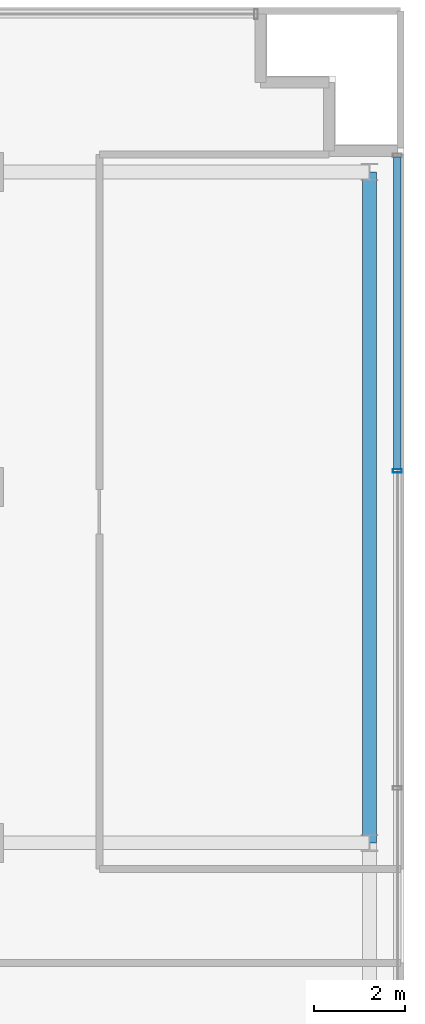
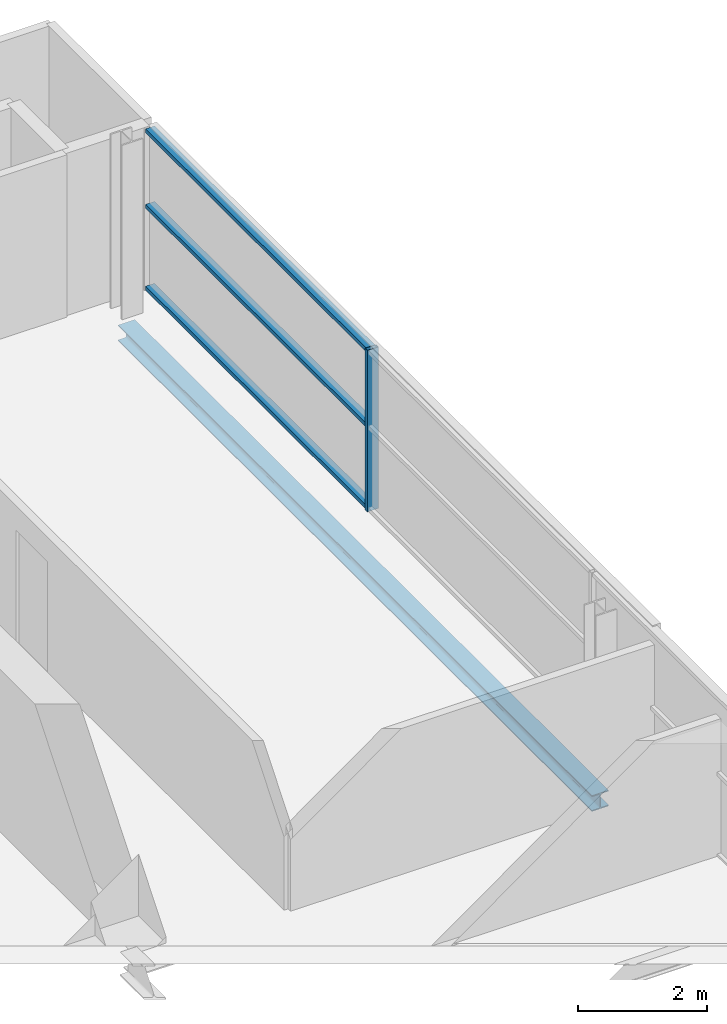
# One storey, part 10 of 24: 4 members, 1 beam, 1 element without a shape of its own.
"""IFC4 building model written with IfcOpenShell, lengths in metres."""

from ifc_helpers import new_model, si_unit, direction, frame, origin, origin_2d, place, context, subcontext, project, spatial, hollow_rectangle, i_section, extrude, source, transform, mapped, material, layer, layer_set, material_profile, profile_set, type_object, element, aggregate, save


model = new_model("IFC4")

# Units and contexts
model_context = context("Model", 3, precision=1e-05, world=origin(), true_north=direction((0.0, 1.0)))
body_context = subcontext(model_context, "Body", "Model", "MODEL_VIEW")
ifc_project = project(units=[si_unit("LENGTHUNIT", "METRE"), si_unit("AREAUNIT", "SQUARE_METRE"), si_unit("VOLUMEUNIT", "CUBIC_METRE"), si_unit("PLANEANGLEUNIT", "RADIAN"), si_unit("MASSUNIT", "GRAM", prefix="KILO")], contexts=[model_context])

# Site, building, storey
site_placement = place(None, origin())
site = spatial("IfcSite", under=ifc_project, at=site_placement, CompositionType="ELEMENT")
building_placement = place(site_placement, origin())
building = spatial("IfcBuilding", under=site, at=building_placement, Name="Zarnakvel Exchange Tower", CompositionType="ELEMENT")
storey_placement = place(building_placement, frame((0.0, 0.0, 235.300048828125)))
storey = spatial("IfcBuildingStorey", under=building, at=storey_placement, Name="L66", CompositionType="ELEMENT", Elevation=235.300048828125)

# Beam
ifc_material_1 = material(Name="Steel S355", Category="steel")
ifc_material_profile_1 = material_profile(ifc_material_1, i_section(OverallWidth=0.300048828125, OverallDepth=0.300048828125, WebThickness=0.010986328125, FlangeThickness=0.01904296875, FilletRadius=0.027099609375, at=origin_2d()))
ifc_profile_set_1 = profile_set([ifc_material_profile_1], Name="Steel S355")
beam_type = type_object("IfcBeamType", Name="SP-03", PredefinedType="SPANDREL", material=ifc_profile_set_1)
beam_placement = place(storey_placement, frame((22.85009765625, -1.199951171875, -0.375), z_axis=(0.0, 1.0, 0.0), x_axis=(-1.0, 0.0, 0.0)))
element("IfcBeam", 1, at=beam_placement, inside=storey, type_object=beam_type, Name="L66 Tower N-S Frame Beam", PredefinedType="SPANDREL", context=body_context, shape_type="SweptSolid", body=[
    extrude(i_section(OverallWidth=0.300048828125, OverallDepth=0.300048828125, WebThickness=0.010986328125, FlangeThickness=0.01904296875, FilletRadius=0.027099609375, at=origin_2d()), origin(), (0.0, 0.0, 1.0), 14.699951171875),
])

# Curtain wall, members
ifc_material_2 = material(Name="Architectural Bronze Anodised Aluminium", Category="aluminium")
ifc_layer = layer(ifc_material_2, 0.199951171875)
ifc_layer_set = layer_set([ifc_layer], Name="Architectural Bronze Anodised Aluminium")
curtain_wall_type = type_object("IfcCurtainWallType", Name="CW-04", PredefinedType="NOTDEFINED", material=ifc_layer_set)
curtain_wall_placement = place(storey_placement, origin())
curtain_wall = element("IfcCurtainWall", 2, at=curtain_wall_placement, inside=storey, type_object=curtain_wall_type, Name="L66 Curtain Wall CW-L66-E1 (CW-04)", PredefinedType="NOTDEFINED")
ifc_material_profile_2 = material_profile(ifc_material_2, hollow_rectangle(XDim=0.199951171875, YDim=0.074951171875, WallThickness=0.0048828125, at=origin_2d()))
ifc_profile_set_2 = profile_set([ifc_material_profile_2], Name="Architectural Bronze Anodised Aluminium")
member_type_1 = type_object("IfcMemberType", Name="CWM-04", PredefinedType="MULLION", material=ifc_profile_set_2)
shared_shape_1 = source(origin(), body_context, "Body", "SweptSolid", [
    extrude(hollow_rectangle(XDim=0.199951171875, YDim=0.074951171875, WallThickness=0.0048828125, at=origin_2d()), origin(), (0.0, 0.0, 1.0), 3.054931640625),
])
member_1_placement = place(storey_placement, frame((23.4599609375, 6.949951171875, 0.0), z_axis=(0.0, 0.0, 1.0), x_axis=(-1.0, 0.0, 0.0)))
member_1 = element("IfcMember", 3, at=member_1_placement, type_object=member_type_1, Name="CW-04 mullion 4", PredefinedType="MULLION", context=body_context, shape_type="MappedRepresentation", body=[
    mapped(shared_shape_1, transform((0.0, 0.0, 0.0), x_axis=(1.0, 0.0, 0.0), y_axis=(0.0, 1.0, 0.0), z_axis=(0.0, 0.0, 1.0), scale=1.0)),
])
ifc_material_profile_3 = material_profile(ifc_material_2, hollow_rectangle(XDim=0.159912109375, YDim=0.074951171875, WallThickness=0.00390625, at=origin_2d()))
ifc_profile_set_3 = profile_set([ifc_material_profile_3], Name="Architectural Bronze Anodised Aluminium")
member_type_2 = type_object("IfcMemberType", Name="CWT-04", PredefinedType="USERDEFINED", material=ifc_profile_set_3)
shared_shape_2 = source(origin(), body_context, "Body", "SweptSolid", [
    extrude(hollow_rectangle(XDim=0.159912109375, YDim=0.074951171875, WallThickness=0.00390625, at=origin_2d()), origin(), (0.0, 0.0, 1.0), 6.83740234375),
])
member_2_placement = place(storey_placement, frame((23.4599609375, 6.987548828125, 0.037353515625), z_axis=(0.0, 1.0, 0.0), x_axis=(-1.0, 0.0, 0.0)))
member_2 = element("IfcMember", 4, at=member_2_placement, type_object=member_type_2, Name="CW-04 transom 4.1", ObjectType="TRANSOM", PredefinedType="USERDEFINED", context=body_context, shape_type="MappedRepresentation", body=[
    mapped(shared_shape_2, transform((0.0, 0.0, 0.0), x_axis=(1.0, 0.0, 0.0), y_axis=(0.0, 1.0, 0.0), z_axis=(0.0, 0.0, 1.0), scale=1.0)),
])
member_3_placement = place(storey_placement, frame((23.4599609375, 6.987548828125, 1.588623046875), z_axis=(0.0, 1.0, 0.0), x_axis=(-1.0, 0.0, 0.0)))
member_3 = element("IfcMember", 5, at=member_3_placement, type_object=member_type_2, Name="CW-04 transom 4.2", ObjectType="TRANSOM", PredefinedType="USERDEFINED", context=body_context, shape_type="MappedRepresentation", body=[
    mapped(shared_shape_2, transform((0.0, 0.0, 0.0), x_axis=(1.0, 0.0, 0.0), y_axis=(0.0, 1.0, 0.0), z_axis=(0.0, 0.0, 1.0), scale=1.0)),
])
member_4_placement = place(storey_placement, frame((23.4599609375, 6.987548828125, 3.017333984375), z_axis=(0.0, 1.0, 0.0), x_axis=(-1.0, 0.0, 0.0)))
member_4 = element("IfcMember", 6, at=member_4_placement, type_object=member_type_2, Name="CW-04 transom 4.3", ObjectType="TRANSOM", PredefinedType="USERDEFINED", context=body_context, shape_type="MappedRepresentation", body=[
    mapped(shared_shape_2, transform((0.0, 0.0, 0.0), x_axis=(1.0, 0.0, 0.0), y_axis=(0.0, 1.0, 0.0), z_axis=(0.0, 0.0, 1.0), scale=1.0)),
])
aggregate(curtain_wall, [member_1, member_2, member_3, member_4])

save(model, "model.ifc")
